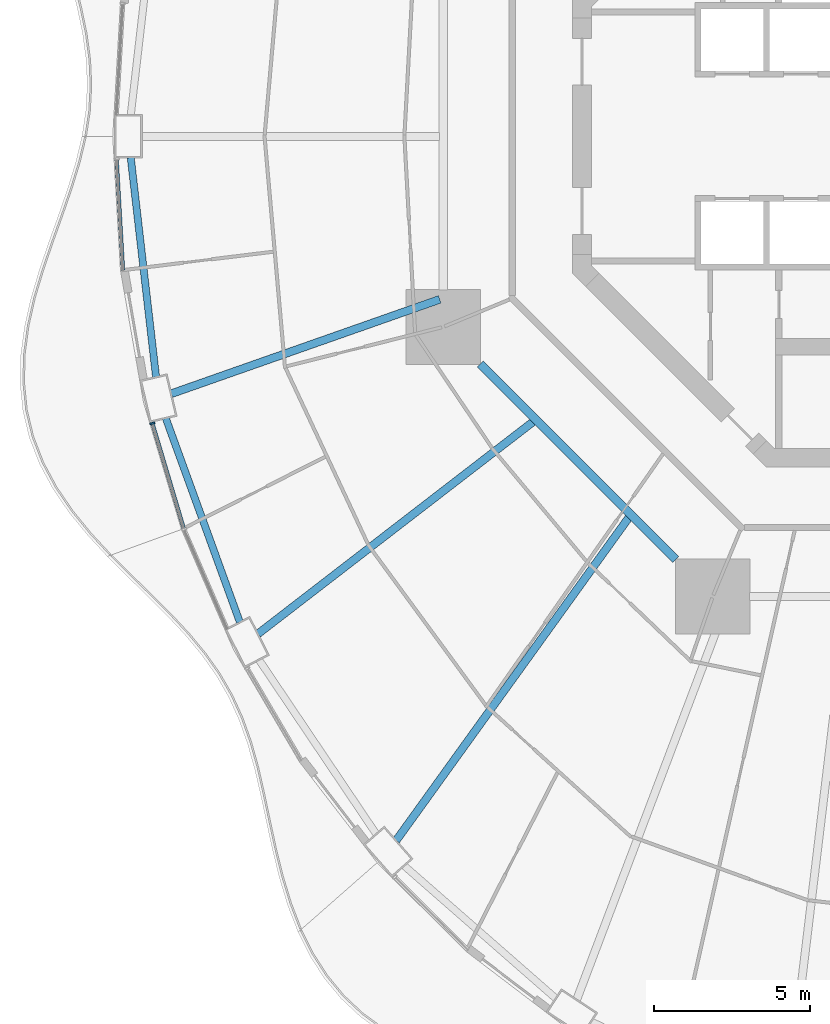
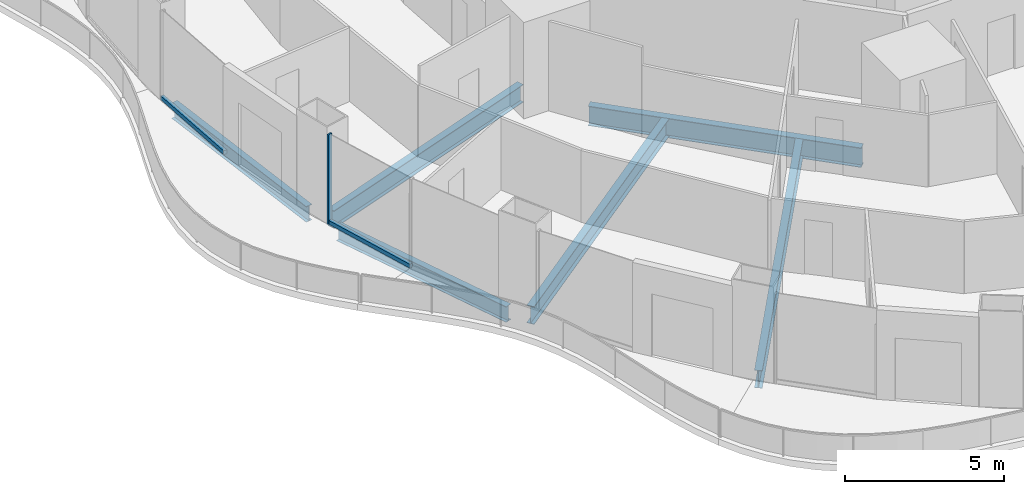
# One storey, part 3 of 22: 6 beams, 3 members, 2 elements without a shape of their own.
"""IFC4 building model written with IfcOpenShell, lengths in metres."""

from ifc_helpers import new_model, si_unit, direction, frame, origin, origin_2d, place, context, subcontext, project, spatial, rectangle, i_section, extrude, material, layer, layer_set, material_profile, profile_set, type_object, element, aggregate, save


model = new_model("IFC4")

# Units and contexts
model_context = context("Model", 3, precision=1e-05, world=origin(), true_north=direction((0.0, 1.0)))
body_context = subcontext(model_context, "Body", "Model", "MODEL_VIEW")
ifc_project = project(units=[si_unit("LENGTHUNIT", "METRE"), si_unit("AREAUNIT", "SQUARE_METRE"), si_unit("VOLUMEUNIT", "CUBIC_METRE"), si_unit("PLANEANGLEUNIT", "RADIAN"), si_unit("MASSUNIT", "GRAM", prefix="KILO")], contexts=[model_context])

# Site, building, storey
site_placement = place(None, origin())
site = spatial("IfcSite", under=ifc_project, at=site_placement, CompositionType="ELEMENT")
building_placement = place(site_placement, origin())
building = spatial("IfcBuilding", under=site, at=building_placement, Name="Nagisa Residences", CompositionType="ELEMENT")
storey_placement = place(building_placement, frame((0.0, 0.0, 45.5)))
storey = spatial("IfcBuildingStorey", under=building, at=storey_placement, Name="L10", CompositionType="ELEMENT", Elevation=45.5)

# Curtain wall, member
ifc_material_1 = material(Name="Concrete-coloured aluminium curtain wall system", Category="concrete")
ifc_layer = layer(ifc_material_1, 0.159912109375)
ifc_layer_set = layer_set([ifc_layer], Name="CW1 CURTAIN WALL")
curtain_wall_type = type_object("IfcCurtainWallType", Name="CW1 CURTAIN WALL", PredefinedType="NOTDEFINED", material=ifc_layer_set)
curtain_wall_1_placement = place(storey_placement, origin())
curtain_wall_1 = element("IfcCurtainWall", 1, at=curtain_wall_1_placement, inside=storey, type_object=curtain_wall_type, Name="cw:CW1:L10:26", PredefinedType="NOTDEFINED")
ifc_material_2 = material(Name="Concrete-coloured aluminium", Category="concrete")
ifc_material_profile_1 = material_profile(ifc_material_2, rectangle(XDim=0.159912109375, YDim=0.06005859375, at=origin_2d()), Name="CW1 MULLION 160x60")
ifc_profile_set_1 = profile_set([ifc_material_profile_1], Name="Concrete-coloured aluminium")
member_type_1 = type_object("IfcMemberType", Name="CW1 MULLION 160x60", PredefinedType="MULLION", material=ifc_profile_set_1)
member_1_placement = place(storey_placement, frame((-24.12646484375, -9.2177734375, 0.0), z_axis=(0.0, 0.0, 1.0), x_axis=(0.958271310082, 0.285860274038, 0.0)))
member_1 = element("IfcMember", 2, at=member_1_placement, type_object=member_type_1, Name="CW1 mullion", PredefinedType="MULLION", context=body_context, shape_type="SweptSolid", body=[
    extrude(rectangle(XDim=0.159912109375, YDim=0.06005859375, at=origin_2d()), origin(), (0.0, 0.0, 1.0), 3.43994140625),
])

curtain_wall_2_placement = place(storey_placement, origin())
curtain_wall_2 = element("IfcCurtainWall", 3, at=curtain_wall_2_placement, inside=storey, type_object=curtain_wall_type, Name="cw:CW1:L10:24", PredefinedType="NOTDEFINED")
ifc_material_3 = material(Name="Concrete-coloured aluminium", Category="concrete")
ifc_material_profile_2 = material_profile(ifc_material_3, rectangle(XDim=0.1201171875, YDim=0.14990234375, at=origin_2d()), Name="CW1 TRANSOM 120x150")
ifc_profile_set_2 = profile_set([ifc_material_profile_2], Name="Concrete-coloured aluminium")
member_type_2 = type_object("IfcMemberType", Name="CW1 TRANSOM 120x150", PredefinedType="USERDEFINED", material=ifc_profile_set_2)
member_2_placement = place(storey_placement, frame((-25.27978515625, -0.6943359375, 0.074951171875), z_axis=(0.057482603412, -0.998346508135, 0.0), x_axis=(0.998346508135, 0.057482603412, 0.0)))
member_2 = element("IfcMember", 4, at=member_2_placement, type_object=member_type_2, Name="CW1 transom", ObjectType="TRANSOM", PredefinedType="USERDEFINED", context=body_context, shape_type="SweptSolid", body=[
    extrude(rectangle(XDim=0.1201171875, YDim=0.14990234375, at=origin_2d()), origin(), (0.0, 0.0, 1.0), 3.6142578125),
])
aggregate(curtain_wall_2, [member_2])

# Member
member_3_placement = place(storey_placement, frame((-24.135009765625, -9.18896484375, 0.074951171875), z_axis=(0.285808431121, -0.958286773727, 0.0), x_axis=(0.958286773727, 0.285808431121, 0.0)))
member_3 = element("IfcMember", 5, at=member_3_placement, type_object=member_type_2, Name="CW1 transom", ObjectType="TRANSOM", PredefinedType="USERDEFINED", context=body_context, shape_type="SweptSolid", body=[
    extrude(rectangle(XDim=0.1201171875, YDim=0.14990234375, at=origin_2d()), origin(), (0.0, 0.0, 1.0), 3.5654296875),
])

aggregate(curtain_wall_1, [member_1, member_3])

# Beams
ifc_material_4 = material(Name="Steel ASTM A572 Gr 50", Category="steel")
ifc_material_profile_3 = material_profile(ifc_material_4, i_section(OverallWidth=0.264892578125, OverallDepth=0.7529296875, WebThickness=0.01318359375, FlangeThickness=0.01708984375, at=origin_2d()), Name="W760x147")
ifc_profile_set_3 = profile_set([ifc_material_profile_3], Name="Steel ASTM A572 Gr 50")
beam_type_1 = type_object("IfcBeamType", Name="Inner ring beam W760x147", PredefinedType="BEAM", material=ifc_profile_set_3)
beam_1_placement = place(storey_placement, frame((-13.59619140625, -7.308837890625, -0.636474609375), z_axis=(0.707106781187, -0.707106781187, 0.0), x_axis=(0.707106781187, 0.707106781187, 0.0)))
element("IfcBeam", 6, at=beam_1_placement, inside=storey, type_object=beam_type_1, Name="beam:L10:ib5", PredefinedType="BEAM", context=body_context, shape_type="SweptSolid", body=[
    extrude(i_section(OverallWidth=0.264892578125, OverallDepth=0.7529296875, WebThickness=0.01318359375, FlangeThickness=0.01708984375, at=origin_2d()), origin(), (0.0, 0.0, 1.0), 8.8916015625),
])
ifc_material_5 = material(Name="Steel ASTM A572 Gr 50", Category="steel")
ifc_material_profile_4 = material_profile(ifc_material_5, i_section(OverallWidth=0.22802734375, OverallDepth=0.60302734375, WebThickness=0.010498046875, FlangeThickness=0.014892578125, at=origin_2d()), Name="W610x101")
ifc_profile_set_4 = profile_set([ifc_material_profile_4], Name="Steel ASTM A572 Gr 50")
beam_type_2 = type_object("IfcBeamType", Name="Perimeter ring beam W610x101", PredefinedType="BEAM", material=ifc_profile_set_4)
beam_2_placement = place(storey_placement, frame((-24.821533203125, -0.68017578125, -0.5615234375), z_axis=(0.114707660057, -0.993399291687, 0.0), x_axis=(0.993399291687, 0.114707660057, 0.0)))
element("IfcBeam", 7, at=beam_2_placement, inside=storey, type_object=beam_type_2, Name="beam:L10:pb13", PredefinedType="BEAM", context=body_context, shape_type="SweptSolid", body=[
    extrude(i_section(OverallWidth=0.22802734375, OverallDepth=0.60302734375, WebThickness=0.010498046875, FlangeThickness=0.014892578125, at=origin_2d()), origin(), (0.0, 0.0, 1.0), 7.09814453125),
])
beam_3_placement = place(storey_placement, frame((-23.695068359375, -9.055419921875, -0.5615234375), z_axis=(0.341411143183, -0.939914055279, 0.0), x_axis=(0.939914055279, 0.341411143183, 0.0)))
element("IfcBeam", 8, at=beam_3_placement, inside=storey, type_object=beam_type_2, Name="beam:L10:pb14", PredefinedType="BEAM", context=body_context, shape_type="SweptSolid", body=[
    extrude(i_section(OverallWidth=0.22802734375, OverallDepth=0.60302734375, WebThickness=0.010498046875, FlangeThickness=0.014892578125, at=origin_2d()), origin(), (0.0, 0.0, 1.0), 6.96923828125),
])
ifc_material_6 = material(Name="Steel ASTM A572 Gr 50", Category="steel")
ifc_material_profile_5 = material_profile(ifc_material_6, i_section(OverallWidth=0.25390625, OverallDepth=0.68408203125, WebThickness=0.012451171875, FlangeThickness=0.018798828125, at=origin_2d()), Name="W690x140")
ifc_profile_set_5 = profile_set([ifc_material_profile_5], Name="Steel ASTM A572 Gr 50")
beam_type_3 = type_object("IfcBeamType", Name="Radial beam W690x140", PredefinedType="BEAM", material=ifc_profile_set_5)
beam_4_placement = place(storey_placement, frame((-23.520751953125, -8.26806640625, -0.60205078125), z_axis=(0.943414535235, 0.331615763659, 0.0), x_axis=(-0.331615763659, 0.943414535235, 0.0)))
element("IfcBeam", 9, at=beam_4_placement, inside=storey, type_object=beam_type_3, Name="beam:L10:rb14", PredefinedType="BEAM", context=body_context, shape_type="SweptSolid", body=[
    extrude(i_section(OverallWidth=0.25390625, OverallDepth=0.68408203125, WebThickness=0.012451171875, FlangeThickness=0.018798828125, at=origin_2d()), origin(), (0.0, 0.0, 1.0), 9.142333984375),
])
beam_5_placement = place(storey_placement, frame((-20.73486328125, -15.982666015625, -0.60205078125), z_axis=(0.792016146736, 0.610500141941, 0.0), x_axis=(-0.610500141941, 0.792016146736, 0.0)))
element("IfcBeam", 10, at=beam_5_placement, inside=storey, type_object=beam_type_3, Name="beam:L10:rb15", PredefinedType="BEAM", context=body_context, shape_type="SweptSolid", body=[
    extrude(i_section(OverallWidth=0.25390625, OverallDepth=0.68408203125, WebThickness=0.012451171875, FlangeThickness=0.018798828125, at=origin_2d()), origin(), (0.0, 0.0, 1.0), 11.160888671875),
])
beam_6_placement = place(storey_placement, frame((-16.29443359375, -22.62255859375, -0.60205078125), z_axis=(0.58445507622, 0.811426068031, 0.0), x_axis=(-0.811426068031, 0.58445507622, 0.0)))
element("IfcBeam", 11, at=beam_6_placement, inside=storey, type_object=beam_type_3, Name="beam:L10:rb16", PredefinedType="BEAM", context=body_context, shape_type="SweptSolid", body=[
    extrude(i_section(OverallWidth=0.25390625, OverallDepth=0.68408203125, WebThickness=0.012451171875, FlangeThickness=0.018798828125, at=origin_2d()), origin(), (0.0, 0.0, 1.0), 12.78955078125),
])

save(model, "model.ifc")
